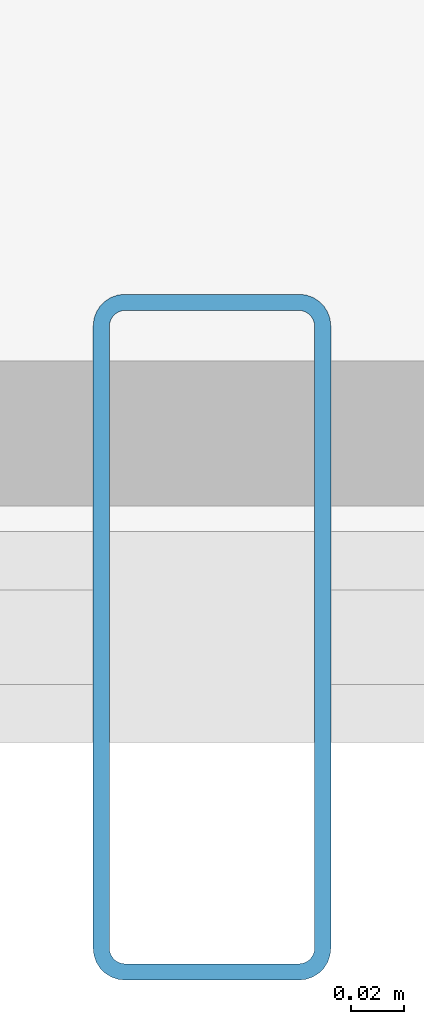
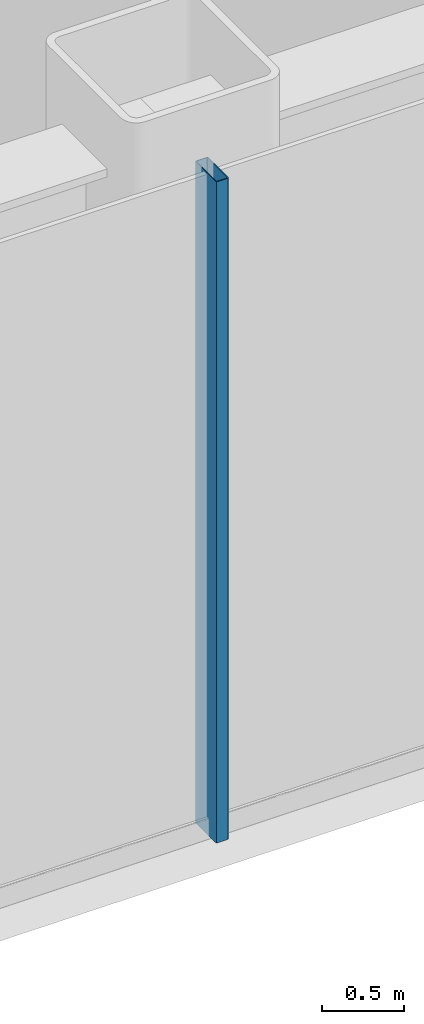
# One storey, part 6 of 24: 1 member, 1 element without a shape of its own.
"""IFC4 building model written with IfcOpenShell, lengths in metres."""

from ifc_helpers import new_model, si_unit, direction, frame, origin, origin_2d, place, context, subcontext, project, spatial, hollow_rectangle, extrude, source, transform, mapped, material, layer, layer_set, material_profile, profile_set, type_object, element, aggregate, save


model = new_model("IFC4")

# Units and contexts
model_context = context("Model", 3, precision=1e-05, world=origin(), true_north=direction((0.0, 1.0)))
body_context = subcontext(model_context, "Body", "Model", "MODEL_VIEW")
ifc_project = project(units=[si_unit("LENGTHUNIT", "METRE"), si_unit("AREAUNIT", "SQUARE_METRE"), si_unit("VOLUMEUNIT", "CUBIC_METRE"), si_unit("PLANEANGLEUNIT", "RADIAN"), si_unit("MASSUNIT", "GRAM", prefix="KILO")], contexts=[model_context])

# Site, building, storey
site_placement = place(None, origin())
site = spatial("IfcSite", under=ifc_project, at=site_placement, CompositionType="ELEMENT")
building_placement = place(site_placement, origin())
building = spatial("IfcBuilding", under=site, at=building_placement, Name="Nefas-Gora Pilgrimage Tower", CompositionType="ELEMENT")
storey_placement = place(building_placement, frame((0.0, 0.0, 22.199951171875)))
storey = spatial("IfcBuildingStorey", under=building, at=storey_placement, Name="L04", CompositionType="ELEMENT", Elevation=22.199951171875)

# Curtain wall, member
ifc_material_1 = material(Name="Dark ceramic-fritted solar-control aluminium-glass curtain wall", Category="aluminium")
ifc_layer = layer(ifc_material_1, 0.219970703125)
ifc_layer_set = layer_set([ifc_layer], Name="Dark ceramic-fritted solar-control aluminium-glass curtain wall")
curtain_wall_type = type_object("IfcCurtainWallType", Name="CW-SYS-1", PredefinedType="NOTDEFINED", material=ifc_layer_set)
curtain_wall_placement = place(storey_placement, origin())
curtain_wall = element("IfcCurtainWall", 1, at=curtain_wall_placement, inside=storey, type_object=curtain_wall_type, Name="L04 Unitised Curtain Wall CW1", PredefinedType="NOTDEFINED")
ifc_material_2 = material(Name="Anodised architectural aluminium", Category="aluminium")
ifc_material_profile = material_profile(ifc_material_2, hollow_rectangle(XDim=0.090087890625, YDim=0.260009765625, WallThickness=0.006103515625, InnerFilletRadius=0.006103515625, OuterFilletRadius=0.011962890625, at=origin_2d()), Name="ALU MULLION 90x260")
ifc_profile_set = profile_set([ifc_material_profile], Name="Anodised architectural aluminium")
member_type = type_object("IfcMemberType", Name="CWM-MUL-1", PredefinedType="MULLION", material=ifc_profile_set)
shared_shape = source(origin(), body_context, "Body", "SweptSolid", [
    extrude(hollow_rectangle(XDim=0.090087890625, YDim=0.260009765625, WallThickness=0.006103515625, InnerFilletRadius=0.006103515625, OuterFilletRadius=0.011962890625, at=origin_2d()), origin(), (0.0, 0.0, 1.0), 4.920166015625),
])
member_placement = place(storey_placement, frame((0.0, -25.199951171875, 0.0), z_axis=(0.0, 0.0, 1.0), x_axis=(1.0, 0.0, 0.0)))
member = element("IfcMember", 2, at=member_placement, type_object=member_type, Name="CW1 Mullion 2", PredefinedType="MULLION", context=body_context, shape_type="MappedRepresentation", body=[
    mapped(shared_shape, transform((0.0, 0.0, 0.0), x_axis=(1.0, 0.0, 0.0), y_axis=(0.0, 1.0, 0.0), z_axis=(0.0, 0.0, 1.0), scale=1.0)),
])
aggregate(curtain_wall, [member])

save(model, "model.ifc")
